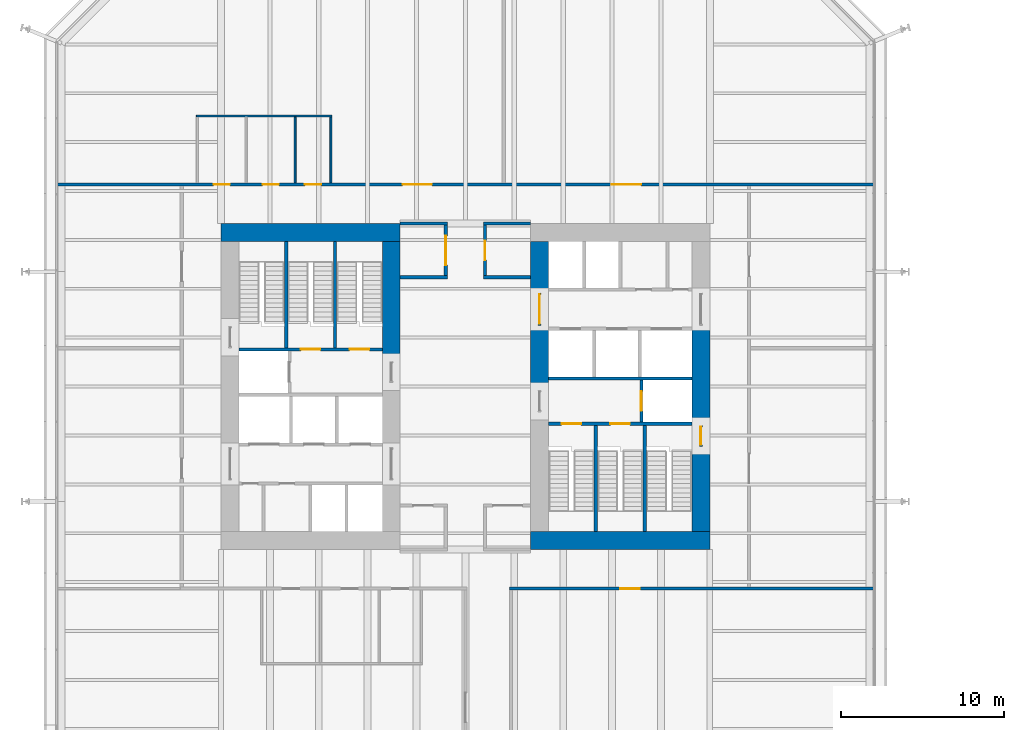
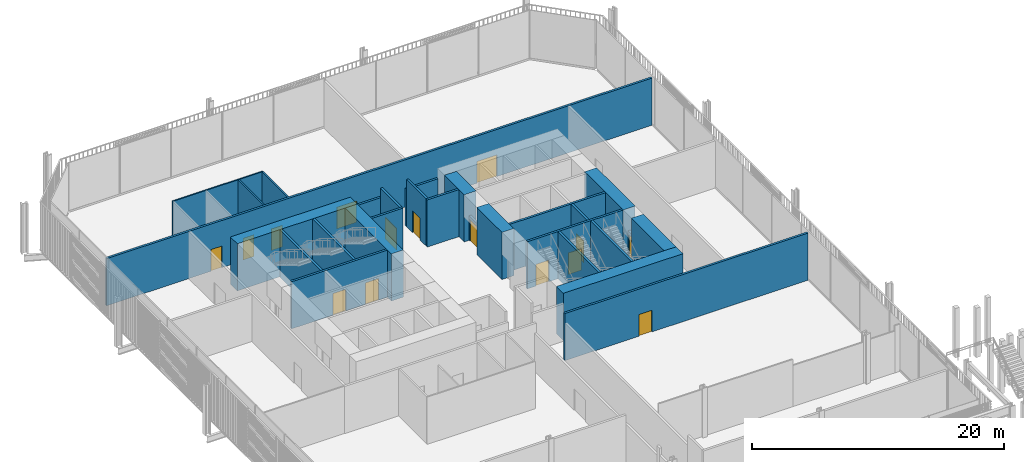
# One storey, part 20 of 25: 28 walls, 15 doors, 15 openings.
"""IFC4 building model written with IfcOpenShell, lengths in metres."""

from ifc_helpers import new_model, si_unit, direction, frame, frame_2d, origin, place, context, subcontext, project, spatial, rectangle, extrude, material, layer, layer_set, type_object, element, fill, save


model = new_model("IFC4")

# Units and contexts
model_context = context("Model", 3, precision=1e-05, world=origin(), true_north=direction((0.0, 1.0)))
body_context = subcontext(model_context, "Body", "Model", "MODEL_VIEW")
ifc_project = project(units=[si_unit("LENGTHUNIT", "METRE"), si_unit("AREAUNIT", "SQUARE_METRE"), si_unit("VOLUMEUNIT", "CUBIC_METRE"), si_unit("PLANEANGLEUNIT", "RADIAN"), si_unit("MASSUNIT", "GRAM", prefix="KILO")], contexts=[model_context])

# Site, building, storey
site_placement = place(None, origin())
site = spatial("IfcSite", under=ifc_project, at=site_placement, CompositionType="ELEMENT")
building_placement = place(site_placement, origin())
building = spatial("IfcBuilding", under=site, at=building_placement, Name="Millrace Tower", CompositionType="ELEMENT")
storey_placement = place(building_placement, frame((0.0, 0.0, 6.5)))
storey = spatial("IfcBuildingStorey", under=building, at=storey_placement, Name="L02", CompositionType="ELEMENT", Elevation=6.5)

# Walls
ifc_material_1 = material(Name="Concrete C80", Category="concrete")
ifc_layer_1 = layer(ifc_material_1, 1.10009765625)
ifc_layer_set_1 = layer_set([ifc_layer_1], Name="Concrete C80")
wall_type_1 = type_object("IfcWallType", Name="Core wall 1100 Concrete C80", PredefinedType="SHEAR", material=ifc_layer_set_1)
wall_1_placement = place(storey_placement, frame((-15.0, 9.449951171875, 0.0), z_axis=(0.0, 0.0, 1.0), x_axis=(1.0, 0.0, 0.0)))
element("IfcWall", 1, at=wall_1_placement, inside=storey, type_object=wall_type_1, Name="Core wall W L02", PredefinedType="SHEAR", context=body_context, shape_type="SweptSolid", body=[
    extrude(rectangle(XDim=11.0, YDim=1.10009765625, at=frame_2d((5.5, 0.0))), origin(), (0.0, 0.0, 1.0), 4.574951171875),
])
wall_2_placement = place(storey_placement, frame((-4.550048828125, 1.550048828125, 0.0), z_axis=(0.0, 0.0, 1.0), x_axis=(0.0, 1.0, 0.0)))
element("IfcWall", 2, at=wall_2_placement, inside=storey, type_object=wall_type_1, Name="Core wall W L02", PredefinedType="SHEAR", context=body_context, shape_type="SweptSolid", body=[
    extrude(rectangle(XDim=7.349853515625, YDim=1.10009765625, at=frame_2d((3.6748046875, 0.0))), origin(), (0.0, 0.0, 1.0), 4.574951171875),
])
wall_3_placement = place(storey_placement, frame((15.0, -9.449951171875, 0.0), z_axis=(0.0, 0.0, 1.0), x_axis=(-1.0, 0.0, 0.0)))
element("IfcWall", 3, at=wall_3_placement, inside=storey, type_object=wall_type_1, Name="Core wall E L02", PredefinedType="SHEAR", context=body_context, shape_type="SweptSolid", body=[
    extrude(rectangle(XDim=11.0, YDim=1.10009765625, at=frame_2d((5.5, 0.0))), origin(), (0.0, 0.0, 1.0), 4.574951171875),
])
wall_4_placement = place(storey_placement, frame((14.449951171875, 3.75, 0.0), z_axis=(0.0, 0.0, 1.0), x_axis=(0.0, -1.0, 0.0)))
element("IfcWall", 4, at=wall_4_placement, inside=storey, type_object=wall_type_1, Name="Core wall E L02", PredefinedType="SHEAR", context=body_context, shape_type="SweptSolid", body=[
    extrude(rectangle(XDim=6.1298828125, YDim=1.10009765625, at=frame_2d((3.06494140625, 0.0))), origin(), (0.0, 0.0, 1.0), 4.574951171875),
])
wall_5_placement = place(storey_placement, frame((14.449951171875, -3.679931640625, 0.0), z_axis=(0.0, 0.0, 1.0), x_axis=(0.0, -1.0, 0.0)))
element("IfcWall", 5, at=wall_5_placement, inside=storey, type_object=wall_type_1, Name="Core wall E L02", PredefinedType="SHEAR", context=body_context, shape_type="SweptSolid", body=[
    extrude(rectangle(XDim=5.219970703125, YDim=1.10009765625, at=frame_2d((2.60986328125, 0.0))), origin(), (0.0, 0.0, 1.0), 4.574951171875),
])
wall_6_placement = place(storey_placement, frame((4.550048828125, 8.89990234375, 0.0), z_axis=(0.0, 0.0, 1.0), x_axis=(0.0, -1.0, 0.0)))
element("IfcWall", 6, at=wall_6_placement, inside=storey, type_object=wall_type_1, Name="Core wall E L02", PredefinedType="SHEAR", context=body_context, shape_type="SweptSolid", body=[
    extrude(rectangle(XDim=3.14990234375, YDim=1.10009765625, at=frame_2d((1.574951171875, 0.0))), origin(), (0.0, 0.0, 1.0), 4.574951171875),
])
wall_7_placement = place(storey_placement, frame((4.550048828125, 3.75, 0.0), z_axis=(0.0, 0.0, 1.0), x_axis=(0.0, -1.0, 0.0)))
element("IfcWall", 7, at=wall_7_placement, inside=storey, type_object=wall_type_1, Name="Core wall E L02", PredefinedType="SHEAR", context=body_context, shape_type="SweptSolid", body=[
    extrude(rectangle(XDim=4.0, YDim=1.10009765625, at=frame_2d((2.0, 0.0))), origin(), (0.0, 0.0, 1.0), 4.574951171875),
])

# Wall, opening, door
ifc_material_2 = material(Name="Masonry partition, fire-rated", Category="masonry")
ifc_layer_2 = layer(ifc_material_2, 0.199951171875)
ifc_layer_set_2 = layer_set([ifc_layer_2], Name="Masonry partition, fire-rated")
wall_type_2 = type_object("IfcWallType", Name="Corridor wall 200", PredefinedType="PARTITIONING", material=ifc_layer_set_2)
wall_8_placement = place(storey_placement, frame((2.699951171875, -12.39990234375, 0.0), z_axis=(0.0, 0.0, 1.0), x_axis=(1.0, 0.0, 0.0)))
wall_8 = element("IfcWall", 8, at=wall_8_placement, inside=storey, type_object=wall_type_2, Name="Corridor wall L02", PredefinedType="PARTITIONING", context=body_context, shape_type="SweptSolid", body=[
    extrude(rectangle(XDim=22.330078125, YDim=0.199951171875, at=frame_2d((11.1650390625, 0.0))), origin(), (0.0, 0.0, 1.0), 4.574951171875),
])
opening_1_placement = place(wall_8_placement, frame((6.804931640625, 0.0, 0.0)))
opening_1 = element("IfcOpeningElement", 9, at=opening_1_placement, cuts=wall_8, Name="Opening 02-P020", PredefinedType="OPENING", context=body_context, shape_type="SweptSolid", body=[
    extrude(rectangle(XDim=1.199951171875, YDim=2.10009765625, at=frame_2d((0.60009765625, 1.050048828125))), frame((0.0, 0.10986328125, 0.0), z_axis=(0.0, -1.0, 0.0), x_axis=(1.0, 0.0, 0.0)), (0.0, 0.0, 1.0), 0.219970703125),
])
ifc_material_3 = material(Name="Steel door set, fire-rated", Category="steel")
door_type_1 = type_object("IfcDoorType", Name="Corridor door 1200 x 2100", OperationType="SINGLE_SWING_LEFT", PredefinedType="DOOR", material=ifc_material_3)
door_1_placement = place(opening_1_placement, origin())
door_1 = element("IfcDoor", 10, at=door_1_placement, inside=storey, type_object=door_type_1, Name="Door 02-P020", OperationType="SINGLE_SWING_LEFT", OverallHeight=2.10009765625, OverallWidth=1.199951171875, PredefinedType="DOOR", context=body_context, shape_type="SweptSolid", body=[
    extrude(rectangle(XDim=1.199951171875, YDim=2.10009765625, at=frame_2d((0.60009765625, 1.050048828125))), frame((0.0, 0.02490234375, 0.0), z_axis=(0.0, -1.0, 0.0), x_axis=(1.0, 0.0, 0.0)), (0.0, 0.0, 1.0), 0.050048828125),
])
fill(opening_1, door_1)

# Walls
for number, where, z_axis, x_axis, name in (
    (11, (-4.0, 6.699951171875, 0.0), (0.0, 0.0, 1.0), (1.0, 0.0, 0.0), "Corridor wall L02"),
    (12, (1.10009765625, 6.699951171875, 0.0), (0.0, 0.0, 1.0), (1.0, 0.0, 0.0), "Corridor wall L02"),
):
    element("IfcWall", number, at=place(storey_placement, frame(where, z_axis=z_axis, x_axis=x_axis)), inside=storey, type_object=wall_type_2, Name=name, PredefinedType="PARTITIONING", context=body_context, shape_type="SweptSolid", body=[
        extrude(rectangle(XDim=2.89990234375, YDim=0.199951171875, at=frame_2d((1.449951171875, 0.0))), origin(), (0.0, 0.0, 1.0), 4.574951171875),
    ])
for number, where, z_axis, x_axis, name in (
    (13, (-4.0, 10.0, 0.0), (0.0, 0.0, 1.0), (1.0, 0.0, 0.0), "Corridor wall L02"),
    (14, (1.10009765625, 10.0, 0.0), (0.0, 0.0, 1.0), (1.0, 0.0, 0.0), "Corridor wall L02"),
):
    element("IfcWall", number, at=place(storey_placement, frame(where, z_axis=z_axis, x_axis=x_axis)), inside=storey, type_object=wall_type_2, Name=name, PredefinedType="PARTITIONING", context=body_context, shape_type="SweptSolid", body=[
        extrude(rectangle(XDim=2.89990234375, YDim=0.199951171875, at=frame_2d((1.449951171875, 0.0))), origin(), (0.0, 0.0, 1.0), 3.627685546875),
    ])

# Wall, openings, doors
wall_9_placement = place(storey_placement, frame((-25.030029296875, 12.39990234375, 0.0), z_axis=(0.0, 0.0, 1.0), x_axis=(1.0, 0.0, 0.0)))
wall_9 = element("IfcWall", 15, at=wall_9_placement, inside=storey, type_object=wall_type_2, Name="Corridor wall L02", PredefinedType="PARTITIONING", context=body_context, shape_type="SweptSolid", body=[
    extrude(rectangle(XDim=50.06005859375, YDim=0.199951171875, at=frame_2d((25.030029296875, 0.0))), origin(), (0.0, 0.0, 1.0), 4.574951171875),
])
opening_2_placement = place(wall_9_placement, frame((21.179931640625, 0.0, 0.0)))
opening_2 = element("IfcOpeningElement", 16, at=opening_2_placement, cuts=wall_9, Name="Opening 02-P005", PredefinedType="OPENING", context=body_context, shape_type="SweptSolid", body=[
    extrude(rectangle(XDim=1.800048828125, YDim=2.10009765625, at=frame_2d((0.89990234375, 1.050048828125))), frame((0.0, 0.10986328125, 0.0), z_axis=(0.0, -1.0, 0.0), x_axis=(1.0, 0.0, 0.0)), (0.0, 0.0, 1.0), 0.219970703125),
])
opening_3_placement = place(wall_9_placement, frame((9.580078125, 0.0, 0.0)))
opening_3 = element("IfcOpeningElement", 17, at=opening_3_placement, cuts=wall_9, Name="Opening 02-P006", PredefinedType="OPENING", context=body_context, shape_type="SweptSolid", body=[
    extrude(rectangle(XDim=1.0, YDim=2.10009765625, at=frame_2d((0.5, 1.050048828125))), frame((0.0, 0.10986328125, 0.0), z_axis=(0.0, -1.0, 0.0), x_axis=(1.0, 0.0, 0.0)), (0.0, 0.0, 1.0), 0.219970703125),
])
opening_4_placement = place(wall_9_placement, frame((12.580078125, 0.0, 0.0)))
opening_4 = element("IfcOpeningElement", 18, at=opening_4_placement, cuts=wall_9, Name="Opening 02-P007", PredefinedType="OPENING", context=body_context, shape_type="SweptSolid", body=[
    extrude(rectangle(XDim=1.0, YDim=2.10009765625, at=frame_2d((0.5, 1.050048828125))), frame((0.0, 0.10986328125, 0.0), z_axis=(0.0, -1.0, 0.0), x_axis=(1.0, 0.0, 0.0)), (0.0, 0.0, 1.0), 0.219970703125),
])
opening_5_placement = place(wall_9_placement, frame((15.179931640625, 0.0, 0.0)))
opening_5 = element("IfcOpeningElement", 19, at=opening_5_placement, cuts=wall_9, Name="Opening 02-P008", PredefinedType="OPENING", context=body_context, shape_type="SweptSolid", body=[
    extrude(rectangle(XDim=1.0, YDim=2.10009765625, at=frame_2d((0.5, 1.050048828125))), frame((0.0, 0.10986328125, 0.0), z_axis=(0.0, -1.0, 0.0), x_axis=(1.0, 0.0, 0.0)), (0.0, 0.0, 1.0), 0.219970703125),
])
opening_6_placement = place(wall_9_placement, frame((34.010009765625, 0.0, 0.0)))
opening_6 = element("IfcOpeningElement", 20, at=opening_6_placement, cuts=wall_9, Name="Opening 02-P009", PredefinedType="OPENING", context=body_context, shape_type="SweptSolid", body=[
    extrude(rectangle(XDim=1.800048828125, YDim=2.10009765625, at=frame_2d((0.89990234375, 1.050048828125))), frame((0.0, 0.10986328125, 0.0), z_axis=(0.0, -1.0, 0.0), x_axis=(1.0, 0.0, 0.0)), (0.0, 0.0, 1.0), 0.219970703125),
])
ifc_material_4 = material(Name="Steel door set, fire-rated", Category="steel")
door_type_2 = type_object("IfcDoorType", Name="Corridor door 1000 x 2100", OperationType="SINGLE_SWING_LEFT", PredefinedType="DOOR", material=ifc_material_4)
door_2_placement = place(opening_3_placement, origin())
door_2 = element("IfcDoor", 21, at=door_2_placement, inside=storey, type_object=door_type_2, Name="Door 02-P006", OperationType="SINGLE_SWING_LEFT", OverallHeight=2.10009765625, OverallWidth=1.0, PredefinedType="DOOR", context=body_context, shape_type="SweptSolid", body=[
    extrude(rectangle(XDim=1.0, YDim=2.10009765625, at=frame_2d((0.5, 1.050048828125))), frame((0.0, 0.02490234375, 0.0), z_axis=(0.0, -1.0, 0.0), x_axis=(1.0, 0.0, 0.0)), (0.0, 0.0, 1.0), 0.050048828125),
])
fill(opening_3, door_2)
door_3_placement = place(opening_4_placement, origin())
door_3 = element("IfcDoor", 22, at=door_3_placement, inside=storey, type_object=door_type_2, Name="Door 02-P007", OperationType="SINGLE_SWING_LEFT", OverallHeight=2.10009765625, OverallWidth=1.0, PredefinedType="DOOR", context=body_context, shape_type="SweptSolid", body=[
    extrude(rectangle(XDim=1.0, YDim=2.10009765625, at=frame_2d((0.5, 1.050048828125))), frame((0.0, 0.02490234375, 0.0), z_axis=(0.0, -1.0, 0.0), x_axis=(1.0, 0.0, 0.0)), (0.0, 0.0, 1.0), 0.050048828125),
])
fill(opening_4, door_3)
door_4_placement = place(opening_5_placement, origin())
door_4 = element("IfcDoor", 23, at=door_4_placement, inside=storey, type_object=door_type_2, Name="Door 02-P008", OperationType="SINGLE_SWING_LEFT", OverallHeight=2.10009765625, OverallWidth=1.0, PredefinedType="DOOR", context=body_context, shape_type="SweptSolid", body=[
    extrude(rectangle(XDim=1.0, YDim=2.10009765625, at=frame_2d((0.5, 1.050048828125))), frame((0.0, 0.02490234375, 0.0), z_axis=(0.0, -1.0, 0.0), x_axis=(1.0, 0.0, 0.0)), (0.0, 0.0, 1.0), 0.050048828125),
])
fill(opening_5, door_4)
ifc_material_5 = material(Name="Steel door set, fire-rated", Category="steel")
door_type_3 = type_object("IfcDoorType", Name="Corridor door 1800 x 2100", OperationType="DOUBLE_DOOR_SINGLE_SWING", PredefinedType="DOOR", material=ifc_material_5)
door_5_placement = place(opening_2_placement, frame((1.800048828125, 0.0, 0.0), z_axis=(0.0, 0.0, 1.0), x_axis=(-1.0, 0.0, 0.0)))
door_5 = element("IfcDoor", 24, at=door_5_placement, inside=storey, type_object=door_type_3, Name="Door 02-P005", OperationType="DOUBLE_DOOR_SINGLE_SWING", OverallHeight=2.10009765625, OverallWidth=1.800048828125, PredefinedType="DOOR", context=body_context, shape_type="SweptSolid", body=[
    extrude(rectangle(XDim=1.800048828125, YDim=2.10009765625, at=frame_2d((0.89990234375, 1.050048828125))), frame((0.0, 0.02490234375, 0.0), z_axis=(0.0, -1.0, 0.0), x_axis=(1.0, 0.0, 0.0)), (0.0, 0.0, 1.0), 0.050048828125),
])
fill(opening_2, door_5)
ifc_material_6 = material(Name="Steel door set, fire-rated", Category="steel")
door_type_4 = type_object("IfcDoorType", Name="Data hall door 1800 x 2100", OperationType="DOUBLE_DOOR_SINGLE_SWING", PredefinedType="DOOR", material=ifc_material_6)
door_6_placement = place(opening_6_placement, origin())
door_6 = element("IfcDoor", 25, at=door_6_placement, inside=storey, type_object=door_type_4, Name="Door 02-P009", OperationType="DOUBLE_DOOR_SINGLE_SWING", OverallHeight=2.10009765625, OverallWidth=1.800048828125, PredefinedType="DOOR", context=body_context, shape_type="SweptSolid", body=[
    extrude(rectangle(XDim=1.800048828125, YDim=2.10009765625, at=frame_2d((0.89990234375, 1.050048828125))), frame((0.0, 0.02490234375, 0.0), z_axis=(0.0, -1.0, 0.0), x_axis=(1.0, 0.0, 0.0)), (0.0, 0.0, 1.0), 0.050048828125),
])
fill(opening_6, door_6)

# Wall, opening, door
wall_10_placement = place(storey_placement, frame((1.199951171875, 6.800048828125, 0.0), z_axis=(0.0, 0.0, 1.0), x_axis=(0.0, 1.0, 0.0)))
wall_10 = element("IfcWall", 26, at=wall_10_placement, inside=storey, type_object=wall_type_2, Name="Corridor wall L02", PredefinedType="PARTITIONING", context=body_context, shape_type="SweptSolid", body=[
    extrude(rectangle(XDim=3.099853515625, YDim=0.199951171875, at=frame_2d((1.5498046875, 0.0))), origin(), (0.0, 0.0, 1.0), 4.574951171875),
])
opening_7_placement = place(wall_10_placement, frame((0.949951171875, 0.0, 0.0)))
opening_7 = element("IfcOpeningElement", 27, at=opening_7_placement, cuts=wall_10, Name="Opening 02-P002", PredefinedType="OPENING", context=body_context, shape_type="SweptSolid", body=[
    extrude(rectangle(XDim=1.199951171875, YDim=2.10009765625, at=frame_2d((0.60009765625, 1.050048828125))), frame((0.0, 0.10986328125, 0.0), z_axis=(0.0, -1.0, 0.0), x_axis=(1.0, 0.0, 0.0)), (0.0, 0.0, 1.0), 0.219970703125),
])
door_7_placement = place(opening_7_placement, frame((1.199951171875, 0.0, 0.0), z_axis=(0.0, 0.0, 1.0), x_axis=(-1.0, 0.0, 0.0)))
door_7 = element("IfcDoor", 28, at=door_7_placement, inside=storey, type_object=door_type_1, Name="Door 02-P002", OperationType="SINGLE_SWING_RIGHT", OverallHeight=2.10009765625, OverallWidth=1.199951171875, PredefinedType="DOOR", context=body_context, shape_type="SweptSolid", body=[
    extrude(rectangle(XDim=1.199951171875, YDim=2.10009765625, at=frame_2d((0.60009765625, 1.050048828125))), frame((0.0, 0.02490234375, 0.0), z_axis=(0.0, -1.0, 0.0), x_axis=(1.0, 0.0, 0.0)), (0.0, 0.0, 1.0), 0.050048828125),
])
fill(opening_7, door_7)

wall_11_placement = place(storey_placement, frame((-1.199951171875, 6.800048828125, 0.0), z_axis=(0.0, 0.0, 1.0), x_axis=(0.0, 1.0, 0.0)))
wall_11 = element("IfcWall", 29, at=wall_11_placement, inside=storey, type_object=wall_type_2, Name="Corridor wall L02", PredefinedType="PARTITIONING", context=body_context, shape_type="SweptSolid", body=[
    extrude(rectangle(XDim=3.099853515625, YDim=0.199951171875, at=frame_2d((1.5498046875, 0.0))), origin(), (0.0, 0.0, 1.0), 4.574951171875),
])
opening_8_placement = place(wall_11_placement, frame((0.64990234375, 0.0, 0.0)))
opening_8 = element("IfcOpeningElement", 30, at=opening_8_placement, cuts=wall_11, Name="Opening 02-P001", PredefinedType="OPENING", context=body_context, shape_type="SweptSolid", body=[
    extrude(rectangle(XDim=1.800048828125, YDim=2.10009765625, at=frame_2d((0.89990234375, 1.050048828125))), frame((0.0, 0.10986328125, 0.0), z_axis=(0.0, -1.0, 0.0), x_axis=(1.0, 0.0, 0.0)), (0.0, 0.0, 1.0), 0.219970703125),
])
door_8_placement = place(opening_8_placement, origin())
door_8 = element("IfcDoor", 31, at=door_8_placement, inside=storey, type_object=door_type_4, Name="Door 02-P001", OperationType="DOUBLE_DOOR_SINGLE_SWING", OverallHeight=2.10009765625, OverallWidth=1.800048828125, PredefinedType="DOOR", context=body_context, shape_type="SweptSolid", body=[
    extrude(rectangle(XDim=1.800048828125, YDim=2.10009765625, at=frame_2d((0.89990234375, 1.050048828125))), frame((0.0, 0.02490234375, 0.0), z_axis=(0.0, -1.0, 0.0), x_axis=(1.0, 0.0, 0.0)), (0.0, 0.0, 1.0), 0.050048828125),
])
fill(opening_8, door_8)

# Wall
ifc_material_7 = material(Name="Masonry partition, fire-rated", Category="masonry")
ifc_layer_3 = layer(ifc_material_7, 0.199951171875)
ifc_layer_set_3 = layer_set([ifc_layer_3], Name="Masonry partition, fire-rated")
wall_type_3 = type_object("IfcWallType", Name="Lift shaft wall 200", PredefinedType="PARTITIONING", material=ifc_layer_set_3)
wall_12_placement = place(storey_placement, frame((13.89990234375, 0.5, 0.0), z_axis=(0.0, 0.0, 1.0), x_axis=(-1.0, 0.0, 0.0)))
element("IfcWall", 32, at=wall_12_placement, inside=storey, type_object=wall_type_3, Name="Lift shaft wall E L02", PredefinedType="PARTITIONING", context=body_context, shape_type="SweptSolid", body=[
    extrude(rectangle(XDim=8.7998046875, YDim=0.199951171875, at=frame_2d((4.39990234375, 0.0))), origin(), (0.0, 0.0, 1.0), 4.574951171875),
])

# Wall, opening, door
wall_13_placement = place(storey_placement, frame((10.800048828125, 0.39990234375, 0.0), z_axis=(0.0, 0.0, 1.0), x_axis=(0.0, -1.0, 0.0)))
wall_13 = element("IfcWall", 33, at=wall_13_placement, inside=storey, type_object=wall_type_3, Name="Lift shaft wall E L02", PredefinedType="PARTITIONING", context=body_context, shape_type="SweptSolid", body=[
    extrude(rectangle(XDim=2.579833984375, YDim=0.199951171875, at=frame_2d((1.2900390625, 0.0))), origin(), (0.0, 0.0, 1.0), 4.574951171875),
])
opening_9_placement = place(wall_13_placement, frame((0.68994140625, 0.0, 0.0)))
opening_9 = element("IfcOpeningElement", 34, at=opening_9_placement, cuts=wall_13, Name="Opening 02-LD16", PredefinedType="OPENING", context=body_context, shape_type="SweptSolid", body=[
    extrude(rectangle(XDim=1.199951171875, YDim=2.10009765625, at=frame_2d((0.60009765625, 1.050048828125))), frame((0.0, 0.10986328125, 0.0), z_axis=(0.0, -1.0, 0.0), x_axis=(1.0, 0.0, 0.0)), (0.0, 0.0, 1.0), 0.219970703125),
])
ifc_material_8 = material(Name="Stainless steel, fire-rated", Category="steel")
door_type_5 = type_object("IfcDoorType", Name="Lift landing door 1200 x 2100", OperationType="DOUBLE_DOOR_SLIDING", PredefinedType="DOOR", material=ifc_material_8)
door_9_placement = place(opening_9_placement, origin())
door_9 = element("IfcDoor", 35, at=door_9_placement, inside=storey, type_object=door_type_5, Name="Lift landing door LF16 L02", OperationType="DOUBLE_DOOR_SLIDING", OverallHeight=2.10009765625, OverallWidth=1.199951171875, PredefinedType="DOOR", context=body_context, shape_type="SweptSolid", body=[
    extrude(rectangle(XDim=1.199951171875, YDim=2.10009765625, at=frame_2d((0.60009765625, 1.050048828125))), frame((0.0, 0.02490234375, 0.0), z_axis=(0.0, -1.0, 0.0), x_axis=(1.0, 0.0, 0.0)), (0.0, 0.0, 1.0), 0.050048828125),
])
fill(opening_9, door_9)

ifc_material_9 = material(Name="Masonry partition, fire-rated", Category="masonry")
ifc_layer_4 = layer(ifc_material_9, 0.199951171875)
ifc_layer_set_4 = layer_set([ifc_layer_4], Name="Masonry partition, fire-rated")
wall_type_4 = type_object("IfcWallType", Name="Lobby wall 200", PredefinedType="PARTITIONING", material=ifc_layer_set_4)
wall_14_placement = place(storey_placement, frame((4.550048828125, 5.75, 0.0), z_axis=(0.0, 0.0, 1.0), x_axis=(0.0, -1.0, 0.0)))
wall_14 = element("IfcWall", 36, at=wall_14_placement, inside=storey, type_object=wall_type_4, Name="Lobby wall E L02", PredefinedType="PARTITIONING", context=body_context, shape_type="SweptSolid", body=[
    extrude(rectangle(XDim=2.0, YDim=0.199951171875, at=frame_2d((1.0, 0.0))), origin(), (0.0, 0.0, 1.0), 2.39990234375),
])
opening_10_placement = place(wall_14_placement, frame((0.10009765625, 0.0, 0.0)))
opening_10 = element("IfcOpeningElement", 37, at=opening_10_placement, cuts=wall_14, Name="Opening 02-C011", PredefinedType="OPENING", context=body_context, shape_type="SweptSolid", body=[
    extrude(rectangle(XDim=1.800048828125, YDim=2.10009765625, at=frame_2d((0.89990234375, 1.050048828125))), frame((0.0, 0.10986328125, 0.0), z_axis=(0.0, -1.0, 0.0), x_axis=(1.0, 0.0, 0.0)), (0.0, 0.0, 1.0), 0.219970703125),
])
ifc_material_10 = material(Name="Steel door, fire-rated", Category="steel")
door_type_6 = type_object("IfcDoorType", Name="Lobby door 1800 x 2100", OperationType="DOUBLE_DOOR_SINGLE_SWING", PredefinedType="DOOR", material=ifc_material_10)
door_10_placement = place(opening_10_placement, origin())
door_10 = element("IfcDoor", 38, at=door_10_placement, inside=storey, type_object=door_type_6, Name="Lobby door 02-C011", OperationType="DOUBLE_DOOR_SINGLE_SWING", OverallHeight=2.10009765625, OverallWidth=1.800048828125, PredefinedType="DOOR", context=body_context, shape_type="SweptSolid", body=[
    extrude(rectangle(XDim=1.800048828125, YDim=2.10009765625, at=frame_2d((0.89990234375, 1.050048828125))), frame((0.0, 0.02490234375, 0.0), z_axis=(0.0, -1.0, 0.0), x_axis=(1.0, 0.0, 0.0)), (0.0, 0.0, 1.0), 0.050048828125),
])
fill(opening_10, door_10)

# Walls
ifc_material_11 = material(Name="Gypsum board partition")
ifc_layer_5 = layer(ifc_material_11, 0.1201171875)
ifc_layer_set_5 = layer_set([ifc_layer_5], Name="Gypsum board partition")
wall_type_5 = type_object("IfcWallType", Name="Partition wall 120", PredefinedType="PARTITIONING", material=ifc_layer_set_5)
wall_15_placement = place(storey_placement, frame((-16.509033203125, 16.60009765625, 0.0), z_axis=(0.0, 0.0, 1.0), x_axis=(1.0, 0.0, 0.0)))
element("IfcWall", 39, at=wall_15_placement, inside=storey, type_object=wall_type_5, Name="Partition wall L02", PredefinedType="PARTITIONING", context=body_context, shape_type="SweptSolid", body=[
    extrude(rectangle(XDim=8.318115234375, YDim=0.1201171875, at=frame_2d((4.1591796875, 0.0))), origin(), (0.0, 0.0, 1.0), 4.574951171875),
])
wall_16_placement = place(storey_placement, frame((-8.25, 12.5, 0.0), z_axis=(0.0, 0.0, 1.0), x_axis=(0.0, 1.0, 0.0)))
element("IfcWall", 40, at=wall_16_placement, inside=storey, type_object=wall_type_5, Name="Partition wall L02", PredefinedType="PARTITIONING", context=body_context, shape_type="SweptSolid", body=[
    extrude(rectangle(XDim=4.0390625, YDim=0.1201171875, at=frame_2d((2.01953125, 0.0))), origin(), (0.0, 0.0, 1.0), 4.574951171875),
])
wall_17_placement = place(storey_placement, frame((-10.449951171875, 12.5, 0.0), z_axis=(0.0, 0.0, 1.0), x_axis=(0.0, 1.0, 0.0)))
element("IfcWall", 41, at=wall_17_placement, inside=storey, type_object=wall_type_5, Name="Partition wall L02", PredefinedType="PARTITIONING", context=body_context, shape_type="SweptSolid", body=[
    extrude(rectangle(XDim=4.0400390625, YDim=0.1201171875, at=frame_2d((2.02001953125, 0.0))), origin(), (0.0, 0.0, 1.0), 4.574951171875),
])

# Wall, openings, doors
ifc_material_12 = material(Name="Concrete C40", Category="concrete")
ifc_layer_6 = layer(ifc_material_12, 0.199951171875)
ifc_layer_set_6 = layer_set([ifc_layer_6], Name="Concrete C40")
wall_type_6 = type_object("IfcWallType", Name="Stair enclosure wall 200 Concrete C40", PredefinedType="SHEAR", material=ifc_layer_set_6)
wall_18_placement = place(storey_placement, frame((-13.89990234375, 2.280029296875, 0.0), z_axis=(0.0, 0.0, 1.0), x_axis=(1.0, 0.0, 0.0)))
wall_18 = element("IfcWall", 42, at=wall_18_placement, inside=storey, type_object=wall_type_6, Name="Stair enclosure wall W L02", PredefinedType="SHEAR", context=body_context, shape_type="SweptSolid", body=[
    extrude(rectangle(XDim=8.7998046875, YDim=0.199951171875, at=frame_2d((4.39990234375, 0.0))), origin(), (0.0, 0.0, 1.0), 4.574951171875),
])
opening_11_placement = place(wall_18_placement, frame((3.800048828125, 0.0, 0.0)))
opening_11 = element("IfcOpeningElement", 43, at=opening_11_placement, cuts=wall_18, Name="Opening 02-C007", PredefinedType="OPENING", context=body_context, shape_type="SweptSolid", body=[
    extrude(rectangle(XDim=1.199951171875, YDim=2.10009765625, at=frame_2d((0.60009765625, 1.050048828125))), frame((0.0, 0.10986328125, 0.0), z_axis=(0.0, -1.0, 0.0), x_axis=(1.0, 0.0, 0.0)), (0.0, 0.0, 1.0), 0.219970703125),
])
opening_12_placement = place(wall_18_placement, frame((6.800048828125, 0.0, 0.0)))
opening_12 = element("IfcOpeningElement", 44, at=opening_12_placement, cuts=wall_18, Name="Opening 02-C008", PredefinedType="OPENING", context=body_context, shape_type="SweptSolid", body=[
    extrude(rectangle(XDim=1.199951171875, YDim=2.10009765625, at=frame_2d((0.60009765625, 1.050048828125))), frame((0.0, 0.10986328125, 0.0), z_axis=(0.0, -1.0, 0.0), x_axis=(1.0, 0.0, 0.0)), (0.0, 0.0, 1.0), 0.219970703125),
])
ifc_material_13 = material(Name="Steel door, fire-rated", Category="steel")
door_type_7 = type_object("IfcDoorType", Name="Stair door 1200 x 2100", OperationType="SINGLE_SWING_LEFT", PredefinedType="DOOR", material=ifc_material_13)
door_11_placement = place(opening_11_placement, frame((1.199951171875, 0.0, 0.0), z_axis=(0.0, 0.0, 1.0), x_axis=(-1.0, 0.0, 0.0)))
door_11 = element("IfcDoor", 45, at=door_11_placement, inside=storey, type_object=door_type_7, Name="Stair door 02-C007", OperationType="SINGLE_SWING_LEFT", OverallHeight=2.10009765625, OverallWidth=1.199951171875, PredefinedType="DOOR", context=body_context, shape_type="SweptSolid", body=[
    extrude(rectangle(XDim=1.199951171875, YDim=2.10009765625, at=frame_2d((0.60009765625, 1.050048828125))), frame((0.0, 0.02490234375, 0.0), z_axis=(0.0, -1.0, 0.0), x_axis=(1.0, 0.0, 0.0)), (0.0, 0.0, 1.0), 0.050048828125),
])
fill(opening_11, door_11)
door_12_placement = place(opening_12_placement, frame((1.199951171875, 0.0, 0.0), z_axis=(0.0, 0.0, 1.0), x_axis=(-1.0, 0.0, 0.0)))
door_12 = element("IfcDoor", 46, at=door_12_placement, inside=storey, type_object=door_type_7, Name="Stair door 02-C008", OperationType="SINGLE_SWING_LEFT", OverallHeight=2.10009765625, OverallWidth=1.199951171875, PredefinedType="DOOR", context=body_context, shape_type="SweptSolid", body=[
    extrude(rectangle(XDim=1.199951171875, YDim=2.10009765625, at=frame_2d((0.60009765625, 1.050048828125))), frame((0.0, 0.02490234375, 0.0), z_axis=(0.0, -1.0, 0.0), x_axis=(1.0, 0.0, 0.0)), (0.0, 0.0, 1.0), 0.050048828125),
])
fill(opening_12, door_12)

# Walls
for number, where, z_axis, x_axis, name in (
    (47, (-11.0, 2.3798828125, 0.0), (0.0, 0.0, 1.0), (0.0, 1.0, 0.0), "Stair enclosure wall W L02"),
    (48, (-8.0, 2.3798828125, 0.0), (0.0, 0.0, 1.0), (0.0, 1.0, 0.0), "Stair enclosure wall W L02"),
):
    element("IfcWall", number, at=place(storey_placement, frame(where, z_axis=z_axis, x_axis=x_axis)), inside=storey, type_object=wall_type_6, Name=name, PredefinedType="SHEAR", context=body_context, shape_type="SweptSolid", body=[
        extrude(rectangle(XDim=6.52001953125, YDim=0.199951171875, at=frame_2d((3.260009765625, 0.0))), origin(), (0.0, 0.0, 1.0), 4.574951171875),
    ])

# Wall, opening, door
wall_19_placement = place(storey_placement, frame((14.449951171875, -2.3798828125, 0.0), z_axis=(0.0, 0.0, 1.0), x_axis=(0.0, -1.0, 0.0)))
wall_19 = element("IfcWall", 49, at=wall_19_placement, inside=storey, type_object=wall_type_6, Name="Stair enclosure wall E L02", PredefinedType="SHEAR", context=body_context, shape_type="SweptSolid", body=[
    extrude(rectangle(XDim=1.300048828125, YDim=0.199951171875, at=frame_2d((0.64990234375, 0.0))), origin(), (0.0, 0.0, 1.0), 2.39990234375),
])
opening_13_placement = place(wall_19_placement, frame((0.10009765625, 0.0, 0.0)))
opening_13 = element("IfcOpeningElement", 50, at=opening_13_placement, cuts=wall_19, Name="Opening 02-C010", PredefinedType="OPENING", context=body_context, shape_type="SweptSolid", body=[
    extrude(rectangle(XDim=1.10009765625, YDim=2.10009765625, at=frame_2d((0.550048828125, 1.050048828125))), frame((0.0, 0.10986328125, 0.0), z_axis=(0.0, -1.0, 0.0), x_axis=(1.0, 0.0, 0.0)), (0.0, 0.0, 1.0), 0.219970703125),
])
ifc_material_14 = material(Name="Steel door, fire-rated", Category="steel")
door_type_8 = type_object("IfcDoorType", Name="Stair door 1100 x 2100", OperationType="SINGLE_SWING_LEFT", PredefinedType="DOOR", material=ifc_material_14)
door_13_placement = place(opening_13_placement, origin())
door_13 = element("IfcDoor", 51, at=door_13_placement, inside=storey, type_object=door_type_8, Name="Stair door 02-C010", OperationType="SINGLE_SWING_RIGHT", OverallHeight=2.10009765625, OverallWidth=1.10009765625, PredefinedType="DOOR", context=body_context, shape_type="SweptSolid", body=[
    extrude(rectangle(XDim=1.10009765625, YDim=2.10009765625, at=frame_2d((0.550048828125, 1.050048828125))), frame((0.0, 0.02490234375, 0.0), z_axis=(0.0, -1.0, 0.0), x_axis=(1.0, 0.0, 0.0)), (0.0, 0.0, 1.0), 0.050048828125),
])
fill(opening_13, door_13)

# Wall, openings, doors
wall_20_placement = place(storey_placement, frame((13.89990234375, -2.280029296875, 0.0), z_axis=(0.0, 0.0, 1.0), x_axis=(-1.0, 0.0, 0.0)))
wall_20 = element("IfcWall", 52, at=wall_20_placement, inside=storey, type_object=wall_type_6, Name="Stair enclosure wall E L02", PredefinedType="SHEAR", context=body_context, shape_type="SweptSolid", body=[
    extrude(rectangle(XDim=8.7998046875, YDim=0.199951171875, at=frame_2d((4.39990234375, 0.0))), origin(), (0.0, 0.0, 1.0), 4.574951171875),
])
opening_14_placement = place(wall_20_placement, frame((3.800048828125, 0.0, 0.0)))
opening_14 = element("IfcOpeningElement", 53, at=opening_14_placement, cuts=wall_20, Name="Opening 02-C015", PredefinedType="OPENING", context=body_context, shape_type="SweptSolid", body=[
    extrude(rectangle(XDim=1.199951171875, YDim=2.10009765625, at=frame_2d((0.60009765625, 1.050048828125))), frame((0.0, 0.10986328125, 0.0), z_axis=(0.0, -1.0, 0.0), x_axis=(1.0, 0.0, 0.0)), (0.0, 0.0, 1.0), 0.219970703125),
])
opening_15_placement = place(wall_20_placement, frame((6.800048828125, 0.0, 0.0)))
opening_15 = element("IfcOpeningElement", 54, at=opening_15_placement, cuts=wall_20, Name="Opening 02-C016", PredefinedType="OPENING", context=body_context, shape_type="SweptSolid", body=[
    extrude(rectangle(XDim=1.199951171875, YDim=2.10009765625, at=frame_2d((0.60009765625, 1.050048828125))), frame((0.0, 0.10986328125, 0.0), z_axis=(0.0, -1.0, 0.0), x_axis=(1.0, 0.0, 0.0)), (0.0, 0.0, 1.0), 0.219970703125),
])
door_14_placement = place(opening_14_placement, frame((1.199951171875, 0.0, 0.0), z_axis=(0.0, 0.0, 1.0), x_axis=(-1.0, 0.0, 0.0)))
door_14 = element("IfcDoor", 55, at=door_14_placement, inside=storey, type_object=door_type_7, Name="Stair door 02-C015", OperationType="SINGLE_SWING_LEFT", OverallHeight=2.10009765625, OverallWidth=1.199951171875, PredefinedType="DOOR", context=body_context, shape_type="SweptSolid", body=[
    extrude(rectangle(XDim=1.199951171875, YDim=2.10009765625, at=frame_2d((0.60009765625, 1.050048828125))), frame((0.0, 0.02490234375, 0.0), z_axis=(0.0, -1.0, 0.0), x_axis=(1.0, 0.0, 0.0)), (0.0, 0.0, 1.0), 0.050048828125),
])
fill(opening_14, door_14)
door_15_placement = place(opening_15_placement, frame((1.199951171875, 0.0, 0.0), z_axis=(0.0, 0.0, 1.0), x_axis=(-1.0, 0.0, 0.0)))
door_15 = element("IfcDoor", 56, at=door_15_placement, inside=storey, type_object=door_type_7, Name="Stair door 02-C016", OperationType="SINGLE_SWING_LEFT", OverallHeight=2.10009765625, OverallWidth=1.199951171875, PredefinedType="DOOR", context=body_context, shape_type="SweptSolid", body=[
    extrude(rectangle(XDim=1.199951171875, YDim=2.10009765625, at=frame_2d((0.60009765625, 1.050048828125))), frame((0.0, 0.02490234375, 0.0), z_axis=(0.0, -1.0, 0.0), x_axis=(1.0, 0.0, 0.0)), (0.0, 0.0, 1.0), 0.050048828125),
])
fill(opening_15, door_15)

# Walls
for number, where, z_axis, x_axis, name in (
    (57, (11.0, -2.3798828125, 0.0), (0.0, 0.0, 1.0), (0.0, -1.0, 0.0), "Stair enclosure wall E L02"),
    (58, (8.0, -2.3798828125, 0.0), (0.0, 0.0, 1.0), (0.0, -1.0, 0.0), "Stair enclosure wall E L02"),
):
    element("IfcWall", number, at=place(storey_placement, frame(where, z_axis=z_axis, x_axis=x_axis)), inside=storey, type_object=wall_type_6, Name=name, PredefinedType="SHEAR", context=body_context, shape_type="SweptSolid", body=[
        extrude(rectangle(XDim=6.52001953125, YDim=0.199951171875, at=frame_2d((3.260009765625, 0.0))), origin(), (0.0, 0.0, 1.0), 4.574951171875),
    ])

save(model, "model.ifc")
